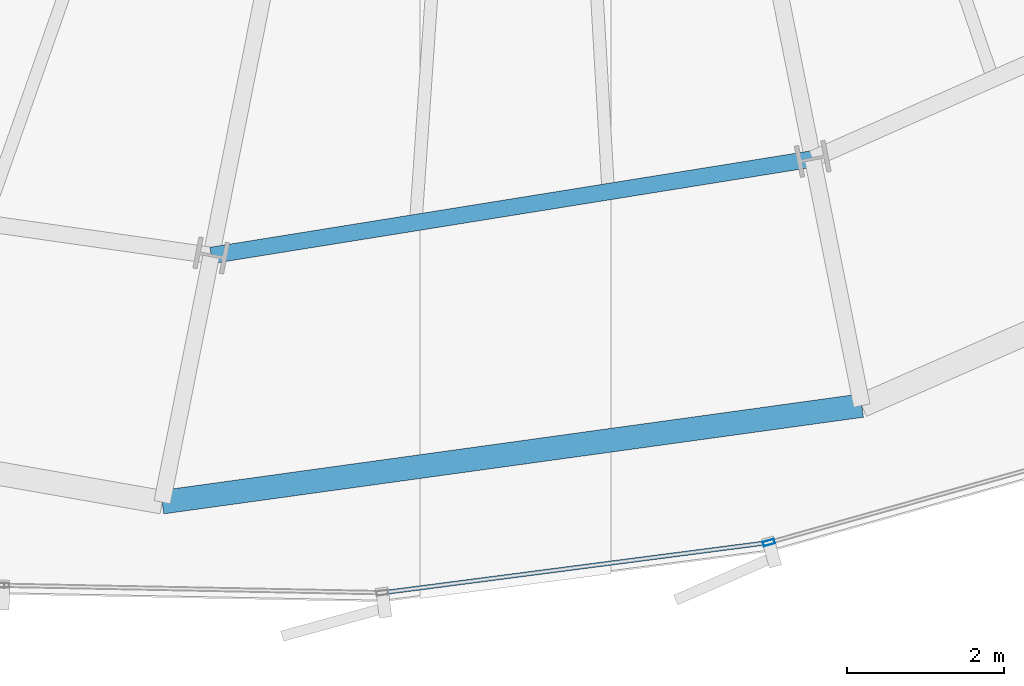
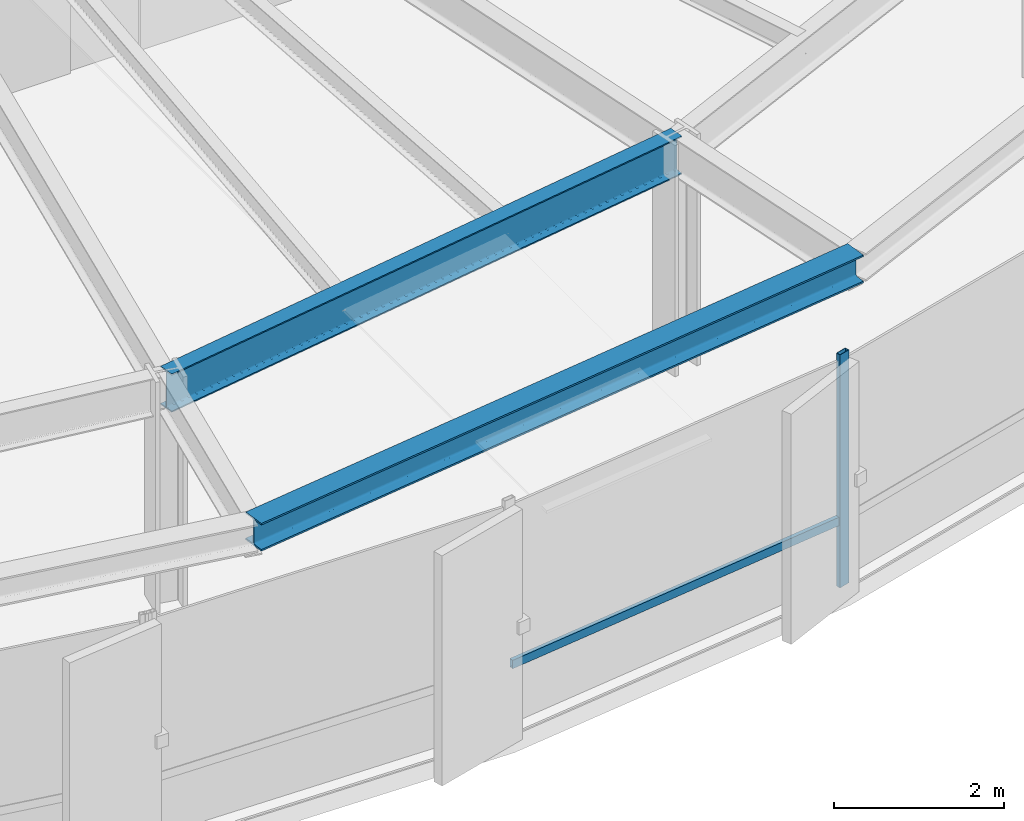
# One storey, part 6 of 33: 2 beams, 2 members, 1 element without a shape of its own.
"""IFC4 building model written with IfcOpenShell, lengths in metres."""

from ifc_helpers import new_model, si_unit, direction, frame, origin, origin_2d, place, context, subcontext, project, spatial, hollow_rectangle, i_section, extrude, source, transform, mapped, material, layer, layer_set, material_profile, profile_set, type_object, element, aggregate, save


model = new_model("IFC4")

# Units and contexts
model_context = context("Model", 3, precision=1e-05, world=origin(), true_north=direction((0.0, 1.0)))
body_context = subcontext(model_context, "Body", "Model", "MODEL_VIEW")
ifc_project = project(units=[si_unit("LENGTHUNIT", "METRE"), si_unit("AREAUNIT", "SQUARE_METRE"), si_unit("VOLUMEUNIT", "CUBIC_METRE"), si_unit("PLANEANGLEUNIT", "RADIAN"), si_unit("MASSUNIT", "GRAM", prefix="KILO"), si_unit("THERMODYNAMICTEMPERATUREUNIT", "KELVIN")], contexts=[model_context])

# Site, building, storey
site_placement = place(None, origin())
site = spatial("IfcSite", under=ifc_project, at=site_placement, CompositionType="ELEMENT")
building_placement = place(site_placement, origin())
building = spatial("IfcBuilding", under=site, at=building_placement, Name="Kethvar Cultural Tower", CompositionType="ELEMENT")
storey_placement = place(building_placement, frame((0.0, 0.0, 114.39990234375)))
storey = spatial("IfcBuildingStorey", under=building, at=storey_placement, Name="L28", CompositionType="ELEMENT", Elevation=114.39990234375)

# Beams
ifc_material_1 = material(Name="Steel S355J2", Category="steel")
ifc_material_profile_1 = material_profile(ifc_material_1, i_section(OverallWidth=0.2099609375, OverallDepth=0.550048828125, WebThickness=0.010986328125, FlangeThickness=0.01708984375, FilletRadius=0.02392578125, at=origin_2d()), Name="Steel S355J2 — IPE550")
ifc_profile_set_1 = profile_set([ifc_material_profile_1], Name="Steel S355J2 — IPE550")
beam_type_1 = type_object("IfcBeamType", Name="BM-IPE550", PredefinedType="BEAM", material=ifc_profile_set_1)
shared_shape_1 = source(origin(), body_context, "Body", "SweptSolid", [
    extrude(i_section(OverallWidth=0.2099609375, OverallDepth=0.550048828125, WebThickness=0.010986328125, FlangeThickness=0.01708984375, FilletRadius=0.02392578125, at=origin_2d()), origin(), (0.0, 0.0, 1.0), 7.749267578125),
])
beam_1_placement = place(storey_placement, frame((42.852294921875, 7.95361328125, 3.072998046875), z_axis=(0.987348257569, 0.158566762831, 0.0), x_axis=(-0.158566762831, 0.987348257569, 0.0)))
element("IfcBeam", 1, at=beam_1_placement, inside=storey, type_object=beam_type_1, Name="L28 Column Ring Tie Beam CR-12", PredefinedType="BEAM", context=body_context, shape_type="MappedRepresentation", body=[
    mapped(shared_shape_1, transform((0.0, 0.0, 0.0), scale=1.0)),
])
ifc_material_profile_2 = material_profile(ifc_material_1, i_section(OverallWidth=0.300048828125, OverallDepth=0.39990234375, WebThickness=0.013427734375, FlangeThickness=0.02392578125, FilletRadius=0.027099609375, at=origin_2d()), Name="Steel S355J2 — HEB400")
ifc_profile_set_2 = profile_set([ifc_material_profile_2], Name="Steel S355J2 — HEB400")
beam_type_2 = type_object("IfcBeamType", Name="BM-SP400", PredefinedType="SPANDREL", material=ifc_profile_set_2)
shared_shape_2 = source(origin(), body_context, "Body", "SweptSolid", [
    extrude(i_section(OverallWidth=0.300048828125, OverallDepth=0.39990234375, WebThickness=0.013427734375, FlangeThickness=0.02392578125, FilletRadius=0.027099609375, at=origin_2d()), origin(), (0.0, 0.0, 1.0), 8.984130859375),
])
beam_2_placement = place(storey_placement, frame((42.22802734375, 4.81494140625, 3.148193359375), z_axis=(0.990602728928, 0.136770733127, 0.0), x_axis=(-0.136770733127, 0.990602728928, 0.0)))
element("IfcBeam", 2, at=beam_2_placement, inside=storey, type_object=beam_type_2, Name="L28 Perimeter Spandrel Beam SP-12", PredefinedType="SPANDREL", context=body_context, shape_type="MappedRepresentation", body=[
    mapped(shared_shape_2, transform((0.0, 0.0, 0.0), scale=1.0)),
])

# Curtain wall, members
ifc_material_2 = material(Name="Aluminium 6063-T6", Category="aluminium")
ifc_layer = layer(ifc_material_2, 0.179931640625, Name="Aluminium 6063-T6", Category="aluminium")
ifc_layer_set = layer_set([ifc_layer], Name="Aluminium 6063-T6 (180 mm)")
curtain_wall_type = type_object("IfcCurtainWallType", Name="CW-SYS-03-Z2", PredefinedType="NOTDEFINED", material=ifc_layer_set)
curtain_wall_placement = place(storey_placement, origin())
curtain_wall = element("IfcCurtainWall", 3, at=curtain_wall_placement, inside=storey, type_object=curtain_wall_type, Name="L28 Curtain Wall Run 05", PredefinedType="NOTDEFINED")
ifc_material_profile_3 = material_profile(ifc_material_2, hollow_rectangle(XDim=0.06005859375, YDim=0.14990234375, WallThickness=0.0048828125, at=origin_2d()), Name="Aluminium 6063-T6 — RHS150x60x5")
ifc_profile_set_3 = profile_set([ifc_material_profile_3], Name="Aluminium 6063-T6 — RHS150x60x5")
member_type_1 = type_object("IfcMemberType", Name="CW-SYS-03-Z2-MUL", PredefinedType="MULLION", material=ifc_profile_set_3)
shared_shape_3 = source(origin(), body_context, "Body", "SweptSolid", [
    extrude(hollow_rectangle(XDim=0.06005859375, YDim=0.14990234375, WallThickness=0.0048828125, at=origin_2d()), origin(), (0.0, 0.0, 1.0), 3.35009765625),
])
member_1_placement = place(storey_placement, frame((49.94482421875, 4.300537109375, 0.0), z_axis=(0.0, 0.0, 1.0), x_axis=(-0.270550039183, 0.962705913713, 0.0)))
member_1 = element("IfcMember", 4, at=member_1_placement, type_object=member_type_1, Name="CW-L28-R05 Mullion 3", PredefinedType="MULLION", context=body_context, shape_type="MappedRepresentation", body=[
    mapped(shared_shape_3, transform((0.0, 0.0, 0.0), scale=1.0)),
])
ifc_material_profile_4 = material_profile(ifc_material_2, hollow_rectangle(XDim=0.054931640625, YDim=0.1201171875, WallThickness=0.00390625, at=origin_2d()), Name="Aluminium 6063-T6 — RHS120x55x4")
ifc_profile_set_4 = profile_set([ifc_material_profile_4], Name="Aluminium 6063-T6 — RHS120x55x4")
member_type_2 = type_object("IfcMemberType", Name="CW-SYS-03-Z2-TRN", PredefinedType="USERDEFINED", material=ifc_profile_set_4)
shared_shape_4 = source(origin(), body_context, "Body", "SweptSolid", [
    extrude(hollow_rectangle(XDim=0.054931640625, YDim=0.1201171875, WallThickness=0.00390625, at=origin_2d()), origin(), (0.0, 0.0, 1.0), 4.88671875),
])
member_2_placement = place(storey_placement, frame((45.072265625, 3.66796875, 0.9501953125), z_axis=(0.991645203638, 0.128995310383, 0.0), x_axis=(-0.128995310383, 0.991645203638, 0.0)))
member_2 = element("IfcMember", 5, at=member_2_placement, type_object=member_type_2, Name="CW-L28-R05 Transom 2", ObjectType="TRANSOM", PredefinedType="USERDEFINED", context=body_context, shape_type="MappedRepresentation", body=[
    mapped(shared_shape_4, transform((0.0, 0.0, 0.0), scale=1.0)),
])
aggregate(curtain_wall, [member_1, member_2])

save(model, "model.ifc")
